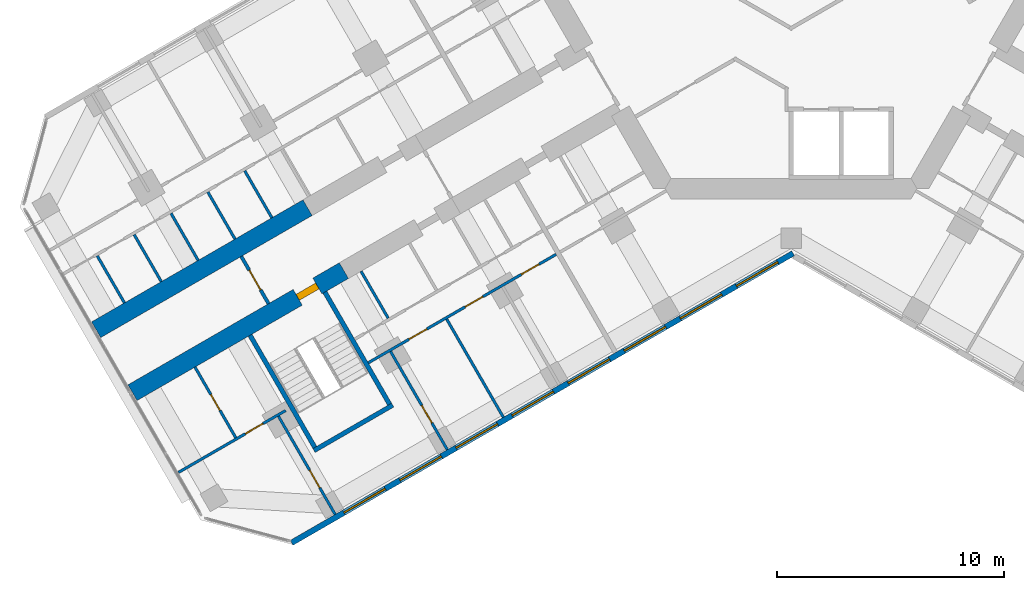
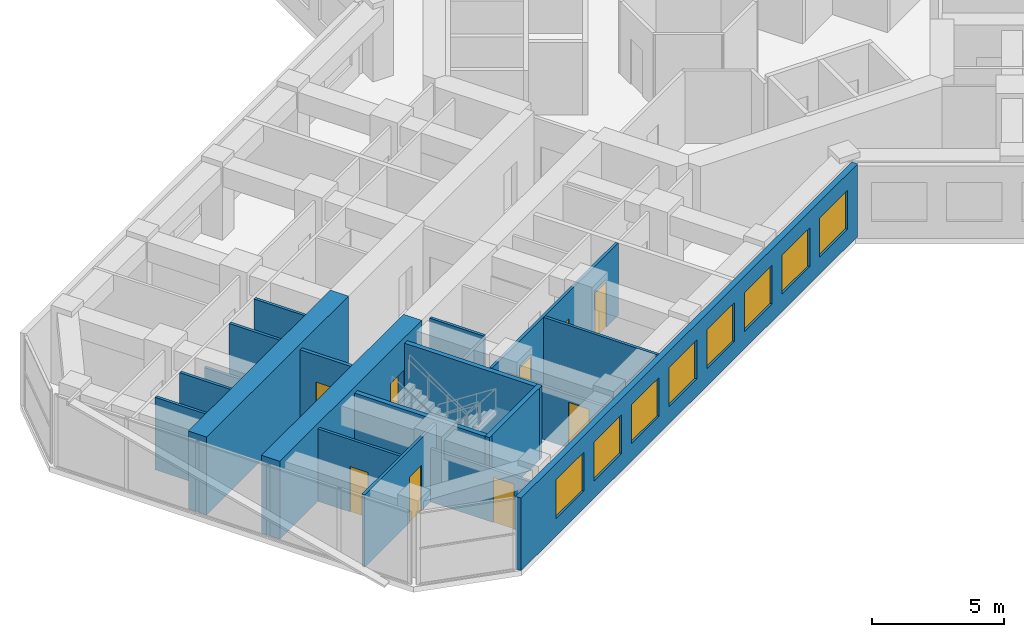
# One storey, part 10 of 19: 19 walls, 9 doors, 8 windows, 17 openings.
"""IFC4 building model written with IfcOpenShell, lengths in metres."""

from ifc_helpers import new_model, si_unit, direction, frame, frame_2d, origin, place, context, subcontext, project, spatial, rectangle, extrude, material, layer, layer_set, type_object, element, fill, save


model = new_model("IFC4")

# Units and contexts
model_context = context("Model", 3, precision=1e-05, world=origin(), true_north=direction((0.0, 1.0)))
body_context = subcontext(model_context, "Body", "Model", "MODEL_VIEW")
ifc_project = project(units=[si_unit("LENGTHUNIT", "METRE"), si_unit("AREAUNIT", "SQUARE_METRE"), si_unit("VOLUMEUNIT", "CUBIC_METRE"), si_unit("PLANEANGLEUNIT", "RADIAN"), si_unit("MASSUNIT", "GRAM", prefix="KILO")], contexts=[model_context])

# Site, building, storey
site_placement = place(None, origin())
site = spatial("IfcSite", under=ifc_project, at=site_placement, CompositionType="ELEMENT")
building_placement = place(site_placement, origin())
building = spatial("IfcBuilding", under=site, at=building_placement, Name="Kosmar Iwan School Tower", CompositionType="ELEMENT")
storey_placement = place(building_placement, frame((0.0, 0.0, 172.39990234375)))
storey = spatial("IfcBuildingStorey", under=building, at=storey_placement, Name="L43", CompositionType="ELEMENT", Elevation=172.39990234375)

# Wall, opening, door
ifc_material_1 = material(Name="Concrete C50/60", Category="concrete")
ifc_layer_1 = layer(ifc_material_1, 0.800048828125)
ifc_layer_set_1 = layer_set([ifc_layer_1], Name="Corridor buttress wall 800")
wall_type_1 = type_object("IfcWallType", Name="Corridor buttress wall 800", PredefinedType="SHEAR", material=ifc_layer_set_1)
wall_1_placement = place(storey_placement, frame((-19.681396484375, -13.210693359375, 0.0), z_axis=(0.0, 0.0, 1.0), x_axis=(-0.866028186671, -0.499995179869, 0.0)))
wall_1 = element("IfcWall", 1, at=wall_1_placement, inside=storey, type_object=wall_type_1, Name="Corridor wall BL bay 3", PredefinedType="SHEAR", context=body_context, shape_type="SweptSolid", body=[
    extrude(rectangle(XDim=10.7451171875, YDim=0.800048828125, at=frame_2d((5.37255859375, 0.0))), origin(), (0.0, 0.0, 1.0), 3.60009765625),
])
opening_1_placement = place(wall_1_placement, frame((1.35009765625, 0.0, 0.0)))
opening_1 = element("IfcOpeningElement", 2, at=opening_1_placement, cuts=wall_1, Name="Opening D6", PredefinedType="OPENING", context=body_context, shape_type="SweptSolid", body=[
    extrude(rectangle(XDim=1.0, YDim=2.10009765625, at=frame_2d((0.5, 1.050048828125))), frame((0.0, 0.412109375, 0.0), z_axis=(0.0, -1.0, 0.0), x_axis=(1.0, 0.0, 0.0)), (0.0, 0.0, 1.0), 0.823974609375),
])
ifc_material_2 = material(Name="Steel fire door", Category="steel")
door_type_1 = type_object("IfcDoorType", Name="Stair door 1000x2100", OperationType="SINGLE_SWING_LEFT", PredefinedType="DOOR", material=ifc_material_2)
door_1_placement = place(opening_1_placement, origin())
door_1 = element("IfcDoor", 3, at=door_1_placement, inside=storey, type_object=door_type_1, Name="Stair WS2 door L43", OperationType="SINGLE_SWING_LEFT", OverallHeight=2.10009765625, OverallWidth=1.0, PredefinedType="DOOR", context=body_context, shape_type="SweptSolid", body=[
    extrude(rectangle(XDim=1.0, YDim=2.10009765625, at=frame_2d((0.5, 1.050048828125))), frame((0.0, 0.14990234375, 0.0), z_axis=(0.0, -1.0, 0.0), x_axis=(1.0, 0.0, 0.0)), (0.0, 0.0, 1.0), 0.300048828125),
])
fill(opening_1, door_1)

# Wall
wall_2_placement = place(storey_placement, frame((-21.281494140625, -10.439453125, 0.0), z_axis=(0.0, 0.0, 1.0), x_axis=(-0.866032345022, -0.499987977232, 0.0)))
element("IfcWall", 4, at=wall_2_placement, inside=storey, type_object=wall_type_1, Name="Corridor wall BR bay 3", PredefinedType="SHEAR", context=body_context, shape_type="SweptSolid", body=[
    extrude(rectangle(XDim=10.744873046875, YDim=0.800048828125, at=frame_2d((5.37255859375, 0.0))), origin(), (0.0, 0.0, 1.0), 3.60009765625),
])

# Wall, opening, door
ifc_material_3 = material(Name="Gypsum board on steel studs, fire-rated", Category="steel")
ifc_layer_2 = layer(ifc_material_3, 0.14990234375)
ifc_layer_set_2 = layer_set([ifc_layer_2], Name="Corridor end wall 150")
wall_type_2 = type_object("IfcWallType", Name="Corridor end wall 150", PredefinedType="PARTITIONING", material=ifc_layer_set_2)
wall_3_placement = place(storey_placement, frame((-24.19921875, -12.585693359375, 0.0), z_axis=(0.0, 0.0, 1.0), x_axis=(0.499957262057, -0.866050077142, 0.0)))
wall_3 = element("IfcWall", 5, at=wall_3_placement, inside=storey, type_object=wall_type_2, Name="Partition L43-B-CE", PredefinedType="PARTITIONING", context=body_context, shape_type="SweptSolid", body=[
    extrude(rectangle(XDim=2.400146484375, YDim=0.14990234375, at=frame_2d((1.2001953125, 0.0))), origin(), (0.0, 0.0, 1.0), 3.35009765625),
])
opening_2_placement = place(wall_3_placement, frame((0.699951171875, 0.0, 0.0)))
opening_2 = element("IfcOpeningElement", 6, at=opening_2_placement, cuts=wall_3, Name="Opening D13", PredefinedType="OPENING", context=body_context, shape_type="SweptSolid", body=[
    extrude(rectangle(XDim=1.0, YDim=2.10009765625, at=frame_2d((0.5, 1.050048828125))), frame((0.0, 0.0869140625, 0.0), z_axis=(0.0, -1.0, 0.0), x_axis=(1.0, 0.0, 0.0)), (0.0, 0.0, 1.0), 0.173828125),
])
ifc_material_4 = material(Name="Timber fire door with vision panel", Category="wood")
door_type_2 = type_object("IfcDoorType", Name="Corridor end door 1000x2100", OperationType="SINGLE_SWING_LEFT", PredefinedType="DOOR", material=ifc_material_4)
door_2_placement = place(opening_2_placement, origin())
door_2 = element("IfcDoor", 7, at=door_2_placement, inside=storey, type_object=door_type_2, Name="Laundry and drying room door L43-B", OperationType="SINGLE_SWING_LEFT", OverallHeight=2.10009765625, OverallWidth=1.0, PredefinedType="DOOR", context=body_context, shape_type="SweptSolid", body=[
    extrude(rectangle(XDim=1.0, YDim=2.10009765625, at=frame_2d((0.5, 1.050048828125))), frame((0.0, 0.02490234375, 0.0), z_axis=(0.0, -1.0, 0.0), x_axis=(1.0, 0.0, 0.0)), (0.0, 0.0, 1.0), 0.050048828125),
])
fill(opening_2, door_2)

# Wall, openings, doors
ifc_material_5 = material(Name="Gypsum board on steel studs", Category="steel")
ifc_layer_3 = layer(ifc_material_5, 0.1201171875)
ifc_layer_set_3 = layer_set([ifc_layer_3], Name="Dwelling partition 120")
wall_type_3 = type_object("IfcWallType", Name="Dwelling partition 120", PredefinedType="PARTITIONING", material=ifc_layer_set_3)
wall_4_placement = place(storey_placement, frame((-10.338623046875, -12.492919921875, 0.0), z_axis=(0.0, 0.0, 1.0), x_axis=(-0.866017851049, -0.500013081493, 0.0)))
wall_4 = element("IfcWall", 8, at=wall_4_placement, inside=storey, type_object=wall_type_3, Name="Partition L43-BL2-W2", PredefinedType="PARTITIONING", context=body_context, shape_type="SweptSolid", body=[
    extrude(rectangle(XDim=9.550048828125, YDim=0.1201171875, at=frame_2d((4.77490234375, 0.0))), origin(), (0.0, 0.0, 1.0), 3.35009765625),
])
opening_3_placement = place(wall_4_placement, frame((0.875, 0.0, 0.0)))
opening_3 = element("IfcOpeningElement", 9, at=opening_3_placement, cuts=wall_4, Name="Opening D2", PredefinedType="OPENING", context=body_context, shape_type="SweptSolid", body=[
    extrude(rectangle(XDim=0.89990234375, YDim=2.10009765625, at=frame_2d((0.449951171875, 1.050048828125))), frame((0.0, 0.072021484375, 0.0), z_axis=(0.0, -1.0, 0.0), x_axis=(1.0, 0.0, 0.0)), (0.0, 0.0, 1.0), 0.14404296875),
])
opening_4_placement = place(wall_4_placement, frame((3.72509765625, 0.0, 0.0)))
opening_4 = element("IfcOpeningElement", 10, at=opening_4_placement, cuts=wall_4, Name="Opening D2", PredefinedType="OPENING", context=body_context, shape_type="SweptSolid", body=[
    extrude(rectangle(XDim=0.89990234375, YDim=2.10009765625, at=frame_2d((0.449951171875, 1.050048828125))), frame((0.0, 0.072021484375, 0.0), z_axis=(0.0, -1.0, 0.0), x_axis=(1.0, 0.0, 0.0)), (0.0, 0.0, 1.0), 0.14404296875),
])
opening_5_placement = place(wall_4_placement, frame((6.574951171875, 0.0, 0.0)))
opening_5 = element("IfcOpeningElement", 11, at=opening_5_placement, cuts=wall_4, Name="Opening D2", PredefinedType="OPENING", context=body_context, shape_type="SweptSolid", body=[
    extrude(rectangle(XDim=0.89990234375, YDim=2.10009765625, at=frame_2d((0.449951171875, 1.050048828125))), frame((0.0, 0.072021484375, 0.0), z_axis=(0.0, -1.0, 0.0), x_axis=(1.0, 0.0, 0.0)), (0.0, 0.0, 1.0), 0.14404296875),
])
ifc_material_6 = material(Name="Timber door in timber frame", Category="wood")
door_type_3 = type_object("IfcDoorType", Name="Internal door 900x2100", OperationType="SINGLE_SWING_LEFT", PredefinedType="DOOR", material=ifc_material_6)
door_3_placement = place(opening_3_placement, origin())
door_3 = element("IfcDoor", 12, at=door_3_placement, inside=storey, type_object=door_type_3, Name="Family room and kitchen door L43-BL2-F1", OperationType="SINGLE_SWING_LEFT", OverallHeight=2.10009765625, OverallWidth=0.89990234375, PredefinedType="DOOR", context=body_context, shape_type="SweptSolid", body=[
    extrude(rectangle(XDim=0.89990234375, YDim=2.10009765625, at=frame_2d((0.449951171875, 1.050048828125))), frame((0.0, 0.02490234375, 0.0), z_axis=(0.0, -1.0, 0.0), x_axis=(1.0, 0.0, 0.0)), (0.0, 0.0, 1.0), 0.050048828125),
])
fill(opening_3, door_3)
door_4_placement = place(opening_4_placement, origin())
door_4 = element("IfcDoor", 13, at=door_4_placement, inside=storey, type_object=door_type_3, Name="Bedroom 2 door L43-BL2-F2", OperationType="SINGLE_SWING_RIGHT", OverallHeight=2.10009765625, OverallWidth=0.89990234375, PredefinedType="DOOR", context=body_context, shape_type="SweptSolid", body=[
    extrude(rectangle(XDim=0.89990234375, YDim=2.10009765625, at=frame_2d((0.449951171875, 1.050048828125))), frame((0.0, 0.02490234375, 0.0), z_axis=(0.0, -1.0, 0.0), x_axis=(1.0, 0.0, 0.0)), (0.0, 0.0, 1.0), 0.050048828125),
])
fill(opening_4, door_4)
door_5_placement = place(opening_5_placement, origin())
door_5 = element("IfcDoor", 14, at=door_5_placement, inside=storey, type_object=door_type_3, Name="Bedroom 1 door L43-BL2-F3", OperationType="SINGLE_SWING_LEFT", OverallHeight=2.10009765625, OverallWidth=0.89990234375, PredefinedType="DOOR", context=body_context, shape_type="SweptSolid", body=[
    extrude(rectangle(XDim=0.89990234375, YDim=2.10009765625, at=frame_2d((0.449951171875, 1.050048828125))), frame((0.0, 0.02490234375, 0.0), z_axis=(0.0, -1.0, 0.0), x_axis=(1.0, 0.0, 0.0)), (0.0, 0.0, 1.0), 0.050048828125),
])
fill(opening_5, door_5)

# Walls
wall_5_placement = place(storey_placement, frame((-15.158447265625, -15.344970703125, 0.0), z_axis=(0.0, 0.0, 1.0), x_axis=(0.500011847778, -0.866018563358, 0.0)))
element("IfcWall", 15, at=wall_5_placement, inside=storey, type_object=wall_type_3, Name="Partition L43-BL2-X2", PredefinedType="PARTITIONING", context=body_context, shape_type="SweptSolid", body=[
    extrude(rectangle(XDim=4.990234375, YDim=0.1201171875, at=frame_2d((2.4951171875, 0.0))), origin(), (0.0, 0.0, 1.0), 3.35009765625),
])
wall_6_placement = place(storey_placement, frame((-18.92724609375, -13.237060546875, 0.0), z_axis=(0.0, 0.0, 1.0), x_axis=(0.500017192868, -0.86601547725, 0.0)))
element("IfcWall", 16, at=wall_6_placement, inside=storey, type_object=wall_type_3, Name="Partition L43-BL2-Y4", PredefinedType="PARTITIONING", context=body_context, shape_type="SweptSolid", body=[
    extrude(rectangle(XDim=2.39013671875, YDim=0.1201171875, at=frame_2d((1.195068359375, 0.0))), origin(), (0.0, 0.0, 1.0), 3.35009765625),
])

# Wall, opening, door
wall_7_placement = place(storey_placement, frame((-17.62646484375, -16.77001953125, 0.0), z_axis=(0.0, 0.0, 1.0), x_axis=(0.499975153383, -0.86603974851, 0.0)))
wall_7 = element("IfcWall", 17, at=wall_7_placement, inside=storey, type_object=wall_type_3, Name="Partition L43-BL2-TB", PredefinedType="PARTITIONING", context=body_context, shape_type="SweptSolid", body=[
    extrude(rectangle(XDim=4.989990234375, YDim=0.1201171875, at=frame_2d((2.4951171875, 0.0))), origin(), (0.0, 0.0, 1.0), 2.4501953125),
])
opening_6_placement = place(wall_7_placement, frame((2.739990234375, 0.0, 0.0)))
opening_6 = element("IfcOpeningElement", 18, at=opening_6_placement, cuts=wall_7, Name="Opening D2", PredefinedType="OPENING", context=body_context, shape_type="SweptSolid", body=[
    extrude(rectangle(XDim=0.89990234375, YDim=2.10009765625, at=frame_2d((0.449951171875, 1.050048828125))), frame((0.0, 0.072021484375, 0.0), z_axis=(0.0, -1.0, 0.0), x_axis=(1.0, 0.0, 0.0)), (0.0, 0.0, 1.0), 0.14404296875),
])
door_6_placement = place(opening_6_placement, origin())
door_6 = element("IfcDoor", 19, at=door_6_placement, inside=storey, type_object=door_type_3, Name="Study door L43-BL2-F3", OperationType="SINGLE_SWING_RIGHT", OverallHeight=2.10009765625, OverallWidth=0.89990234375, PredefinedType="DOOR", context=body_context, shape_type="SweptSolid", body=[
    extrude(rectangle(XDim=0.89990234375, YDim=2.10009765625, at=frame_2d((0.449951171875, 1.050048828125))), frame((0.0, 0.02490234375, 0.0), z_axis=(0.0, -1.0, 0.0), x_axis=(1.0, 0.0, 0.0)), (0.0, 0.0, 1.0), 0.050048828125),
])
fill(opening_6, door_6)

wall_8_placement = place(storey_placement, frame((-22.562744140625, -19.6201171875, 0.0), z_axis=(0.0, 0.0, 1.0), x_axis=(0.499996339024, -0.86602751744, 0.0)))
wall_8 = element("IfcWall", 20, at=wall_8_placement, inside=storey, type_object=wall_type_3, Name="Partition L43-BL2-TX", PredefinedType="PARTITIONING", context=body_context, shape_type="SweptSolid", body=[
    extrude(rectangle(XDim=4.98974609375, YDim=0.1201171875, at=frame_2d((2.494873046875, 0.0))), origin(), (0.0, 0.0, 1.0), 2.4501953125),
])
opening_7_placement = place(wall_8_placement, frame((2.739990234375, 0.0, 0.0)))
opening_7 = element("IfcOpeningElement", 21, at=opening_7_placement, cuts=wall_8, Name="Opening D2", PredefinedType="OPENING", context=body_context, shape_type="SweptSolid", body=[
    extrude(rectangle(XDim=0.89990234375, YDim=2.10009765625, at=frame_2d((0.449951171875, 1.050048828125))), frame((0.0, 0.072021484375, 0.0), z_axis=(0.0, -1.0, 0.0), x_axis=(1.0, 0.0, 0.0)), (0.0, 0.0, 1.0), 0.14404296875),
])
door_7_placement = place(opening_7_placement, origin())
door_7 = element("IfcDoor", 22, at=door_7_placement, inside=storey, type_object=door_type_3, Name="Study door L43-BL2-T1", OperationType="SINGLE_SWING_RIGHT", OverallHeight=2.10009765625, OverallWidth=0.89990234375, PredefinedType="DOOR", context=body_context, shape_type="SweptSolid", body=[
    extrude(rectangle(XDim=0.89990234375, YDim=2.10009765625, at=frame_2d((0.449951171875, 1.050048828125))), frame((0.0, 0.02490234375, 0.0), z_axis=(0.0, -1.0, 0.0), x_axis=(1.0, 0.0, 0.0)), (0.0, 0.0, 1.0), 0.050048828125),
])
fill(opening_7, door_7)

wall_9_placement = place(storey_placement, frame((-22.246337890625, -19.3681640625, 0.0), z_axis=(0.0, 0.0, 1.0), x_axis=(-0.866035508231, -0.499982498177, 0.0)))
wall_9 = element("IfcWall", 23, at=wall_9_placement, inside=storey, type_object=wall_type_3, Name="Partition L43-BL2-TW", PredefinedType="PARTITIONING", context=body_context, shape_type="SweptSolid", body=[
    extrude(rectangle(XDim=5.445068359375, YDim=0.1201171875, at=frame_2d((2.72265625, 0.0))), origin(), (0.0, 0.0, 1.0), 3.35009765625),
])
opening_8_placement = place(wall_9_placement, frame((1.14990234375, 0.0, 0.0)))
opening_8 = element("IfcOpeningElement", 24, at=opening_8_placement, cuts=wall_9, Name="Opening D2", PredefinedType="OPENING", context=body_context, shape_type="SweptSolid", body=[
    extrude(rectangle(XDim=0.89990234375, YDim=2.10009765625, at=frame_2d((0.449951171875, 1.050048828125))), frame((0.0, 0.072021484375, 0.0), z_axis=(0.0, -1.0, 0.0), x_axis=(1.0, 0.0, 0.0)), (0.0, 0.0, 1.0), 0.14404296875),
])
door_8_placement = place(opening_8_placement, origin())
door_8 = element("IfcDoor", 25, at=door_8_placement, inside=storey, type_object=door_type_3, Name="Dressing room door L43-BL2-T3", OperationType="SINGLE_SWING_LEFT", OverallHeight=2.10009765625, OverallWidth=0.89990234375, PredefinedType="DOOR", context=body_context, shape_type="SweptSolid", body=[
    extrude(rectangle(XDim=0.89990234375, YDim=2.10009765625, at=frame_2d((0.449951171875, 1.050048828125))), frame((0.0, 0.02490234375, 0.0), z_axis=(0.0, -1.0, 0.0), x_axis=(1.0, 0.0, 0.0)), (0.0, 0.0, 1.0), 0.050048828125),
])
fill(opening_8, door_8)

wall_10_placement = place(storey_placement, frame((-26.236572265625, -17.45703125, 0.0), z_axis=(0.0, 0.0, 1.0), x_axis=(0.50002266109, -0.866012320003, 0.0)))
wall_10 = element("IfcWall", 26, at=wall_10_placement, inside=storey, type_object=wall_type_3, Name="Partition L43-BL2-TY", PredefinedType="PARTITIONING", context=body_context, shape_type="SweptSolid", body=[
    extrude(rectangle(XDim=3.590087890625, YDim=0.1201171875, at=frame_2d((1.794921875, 0.0))), origin(), (0.0, 0.0, 1.0), 3.35009765625),
])
opening_9_placement = place(wall_10_placement, frame((1.39501953125, 0.0, 0.0)))
opening_9 = element("IfcOpeningElement", 27, at=opening_9_placement, cuts=wall_10, Name="Opening D3", PredefinedType="OPENING", context=body_context, shape_type="SweptSolid", body=[
    extrude(rectangle(XDim=0.800048828125, YDim=2.10009765625, at=frame_2d((0.39990234375, 1.050048828125))), frame((0.0, 0.072021484375, 0.0), z_axis=(0.0, -1.0, 0.0), x_axis=(1.0, 0.0, 0.0)), (0.0, 0.0, 1.0), 0.14404296875),
])
ifc_material_7 = material(Name="Timber door in timber frame", Category="wood")
door_type_4 = type_object("IfcDoorType", Name="Sanitary room door 800x2100", OperationType="SINGLE_SWING_LEFT", PredefinedType="DOOR", material=ifc_material_7)
door_9_placement = place(opening_9_placement, origin())
door_9 = element("IfcDoor", 28, at=door_9_placement, inside=storey, type_object=door_type_4, Name="Shower room door L43-BL2-T4", OperationType="SINGLE_SWING_RIGHT", OverallHeight=2.10009765625, OverallWidth=0.800048828125, PredefinedType="DOOR", context=body_context, shape_type="SweptSolid", body=[
    extrude(rectangle(XDim=0.800048828125, YDim=2.10009765625, at=frame_2d((0.39990234375, 1.050048828125))), frame((0.0, 0.02490234375, 0.0), z_axis=(0.0, -1.0, 0.0), x_axis=(1.0, 0.0, 0.0)), (0.0, 0.0, 1.0), 0.050048828125),
])
fill(opening_9, door_9)

# Walls
wall_11_placement = place(storey_placement, frame((-22.852783203125, -10.884521484375, 0.0), z_axis=(0.0, 0.0, 1.0), x_axis=(-0.499940577336, 0.866059708757, 0.0)))
element("IfcWall", 29, at=wall_11_placement, inside=storey, type_object=wall_type_3, Name="Partition L43-BR2-Y3", PredefinedType="PARTITIONING", context=body_context, shape_type="SweptSolid", body=[
    extrude(rectangle(XDim=2.389892578125, YDim=0.1201171875, at=frame_2d((1.19482421875, 0.0))), origin(), (0.0, 0.0, 1.0), 3.35009765625),
])
wall_12_placement = place(storey_placement, frame((-24.47509765625, -11.8212890625, 0.0), z_axis=(0.0, 0.0, 1.0), x_axis=(-0.500017192868, 0.86601547725, 0.0)))
element("IfcWall", 30, at=wall_12_placement, inside=storey, type_object=wall_type_3, Name="Partition L43-BR2-Y4", PredefinedType="PARTITIONING", context=body_context, shape_type="SweptSolid", body=[
    extrude(rectangle(XDim=2.39013671875, YDim=0.1201171875, at=frame_2d((1.195068359375, 0.0))), origin(), (0.0, 0.0, 1.0), 3.35009765625),
])
wall_13_placement = place(storey_placement, frame((-26.097412109375, -12.758056640625, 0.0), z_axis=(0.0, 0.0, 1.0), x_axis=(-0.500017192868, 0.86601547725, 0.0)))
element("IfcWall", 31, at=wall_13_placement, inside=storey, type_object=wall_type_3, Name="Partition L43-BR2-Y5", PredefinedType="PARTITIONING", context=body_context, shape_type="SweptSolid", body=[
    extrude(rectangle(XDim=2.39013671875, YDim=0.1201171875, at=frame_2d((1.195068359375, 0.0))), origin(), (0.0, 0.0, 1.0), 2.4501953125),
])
for number, where, z_axis, x_axis, name in (
    (32, (-27.7197265625, -13.694580078125, 0.0), (0.0, 0.0, 1.0), (-0.500017192868, 0.86601547725, 0.0), "Partition L43-BR2-Y6"),
    (33, (-29.342041015625, -14.63134765625, 0.0), (0.0, 0.0, 1.0), (-0.500017192868, 0.86601547725, 0.0), "Partition L43-BR2-Y7"),
):
    element("IfcWall", number, at=place(storey_placement, frame(where, z_axis=z_axis, x_axis=x_axis)), inside=storey, type_object=wall_type_3, Name=name, PredefinedType="PARTITIONING", context=body_context, shape_type="SweptSolid", body=[
        extrude(rectangle(XDim=2.39013671875, YDim=0.1201171875, at=frame_2d((1.195068359375, 0.0))), origin(), (0.0, 0.0, 1.0), 3.35009765625),
    ])
ifc_material_8 = material(Name="Concrete C35/45", Category="concrete")
ifc_layer_4 = layer(ifc_material_8, 0.199951171875)
ifc_layer_set_4 = layer_set([ifc_layer_4], Name="Escape stair wall 200")
wall_type_4 = type_object("IfcWallType", Name="Escape stair wall 200", PredefinedType="SHEAR", material=ifc_layer_set_4)
wall_14_placement = place(storey_placement, frame((-20.520751953125, -14.156982421875, 0.0), z_axis=(0.0, 0.0, 1.0), x_axis=(0.499988710057, -0.866031921938, 0.0)))
element("IfcWall", 34, at=wall_14_placement, inside=storey, type_object=wall_type_4, Name="Stair WS2 wall", PredefinedType="SHEAR", context=body_context, shape_type="SweptSolid", body=[
    extrude(rectangle(XDim=5.900146484375, YDim=0.199951171875, at=frame_2d((2.9501953125, 0.0))), origin(), (0.0, 0.0, 1.0), 3.330078125),
])
wall_15_placement = place(storey_placement, frame((-23.8115234375, -16.05712890625, 0.0), z_axis=(0.0, 0.0, 1.0), x_axis=(0.500006628179, -0.86602157697, 0.0)))
element("IfcWall", 35, at=wall_15_placement, inside=storey, type_object=wall_type_4, Name="Stair WS2 wall", PredefinedType="SHEAR", context=body_context, shape_type="SweptSolid", body=[
    extrude(rectangle(XDim=5.89990234375, YDim=0.199951171875, at=frame_2d((2.949951171875, 0.0))), origin(), (0.0, 0.0, 1.0), 3.330078125),
])
wall_16_placement = place(storey_placement, frame((-17.5341796875, -19.1298828125, 0.0), z_axis=(0.0, 0.0, 1.0), x_axis=(-0.866026010844, -0.49999894854, 0.0)))
element("IfcWall", 36, at=wall_16_placement, inside=storey, type_object=wall_type_4, Name="Stair WS2 wall", PredefinedType="SHEAR", context=body_context, shape_type="SweptSolid", body=[
    extrude(rectangle(XDim=4.0, YDim=0.199951171875, at=frame_2d((2.0, 0.0))), origin(), (0.0, 0.0, 1.0), 3.330078125),
])

# Wall, openings, windows
ifc_material_9 = material(Name="Black aluminium rainscreen on insulated framing", Category="aluminium")
ifc_layer_5 = layer(ifc_material_9, 0.25)
ifc_layer_set_5 = layer_set([ifc_layer_5], Name="External wall rainscreen 250")
wall_type_5 = type_object("IfcWallType", Name="External wall rainscreen 250", PredefinedType="SOLIDWALL", material=ifc_layer_set_5)
wall_17_placement = place(storey_placement, frame((0.088134765625, -12.44873046875, 0.0), z_axis=(0.0, 0.0, 1.0), x_axis=(-0.866026390279, -0.499998291337, 0.0)))
wall_17 = element("IfcWall", 37, at=wall_17_placement, inside=storey, type_object=wall_type_5, Name="External wall BL L43", PredefinedType="SOLIDWALL", context=body_context, shape_type="SweptSolid", body=[
    extrude(rectangle(XDim=25.4873046875, YDim=0.25, at=frame_2d((12.74365234375, 0.0))), origin(), (0.0, 0.0, 1.0), 3.35009765625),
])
opening_10_placement = place(wall_17_placement, frame((0.777099609375, 0.0, 0.800048828125)))
opening_10 = element("IfcOpeningElement", 38, at=opening_10_placement, cuts=wall_17, Name="Opening W4", PredefinedType="OPENING", context=body_context, shape_type="SweptSolid", body=[
    extrude(rectangle(XDim=2.10009765625, YDim=1.800048828125, at=frame_2d((1.050048828125, 0.89990234375))), frame((0.0, 0.136962890625, 0.0), z_axis=(0.0, -1.0, 0.0), x_axis=(1.0, 0.0, 0.0)), (0.0, 0.0, 1.0), 0.27392578125),
])
opening_11_placement = place(wall_17_placement, frame((3.626953125, 0.0, 0.800048828125)))
opening_11 = element("IfcOpeningElement", 39, at=opening_11_placement, cuts=wall_17, Name="Opening W4", PredefinedType="OPENING", context=body_context, shape_type="SweptSolid", body=[
    extrude(rectangle(XDim=2.10009765625, YDim=1.800048828125, at=frame_2d((1.050048828125, 0.89990234375))), frame((0.0, 0.136962890625, 0.0), z_axis=(0.0, -1.0, 0.0), x_axis=(1.0, 0.0, 0.0)), (0.0, 0.0, 1.0), 0.27392578125),
])
opening_12_placement = place(wall_17_placement, frame((6.47705078125, 0.0, 0.800048828125)))
opening_12 = element("IfcOpeningElement", 40, at=opening_12_placement, cuts=wall_17, Name="Opening W4", PredefinedType="OPENING", context=body_context, shape_type="SweptSolid", body=[
    extrude(rectangle(XDim=2.10009765625, YDim=1.800048828125, at=frame_2d((1.050048828125, 0.89990234375))), frame((0.0, 0.136962890625, 0.0), z_axis=(0.0, -1.0, 0.0), x_axis=(1.0, 0.0, 0.0)), (0.0, 0.0, 1.0), 0.27392578125),
])
opening_13_placement = place(wall_17_placement, frame((9.326904296875, 0.0, 0.800048828125)))
opening_13 = element("IfcOpeningElement", 41, at=opening_13_placement, cuts=wall_17, Name="Opening W4", PredefinedType="OPENING", context=body_context, shape_type="SweptSolid", body=[
    extrude(rectangle(XDim=2.10009765625, YDim=1.800048828125, at=frame_2d((1.050048828125, 0.89990234375))), frame((0.0, 0.136962890625, 0.0), z_axis=(0.0, -1.0, 0.0), x_axis=(1.0, 0.0, 0.0)), (0.0, 0.0, 1.0), 0.27392578125),
])
opening_14_placement = place(wall_17_placement, frame((12.177001953125, 0.0, 0.800048828125)))
opening_14 = element("IfcOpeningElement", 42, at=opening_14_placement, cuts=wall_17, Name="Opening W4", PredefinedType="OPENING", context=body_context, shape_type="SweptSolid", body=[
    extrude(rectangle(XDim=2.10009765625, YDim=1.800048828125, at=frame_2d((1.050048828125, 0.89990234375))), frame((0.0, 0.136962890625, 0.0), z_axis=(0.0, -1.0, 0.0), x_axis=(1.0, 0.0, 0.0)), (0.0, 0.0, 1.0), 0.27392578125),
])
opening_15_placement = place(wall_17_placement, frame((15.027099609375, 0.0, 0.800048828125)))
opening_15 = element("IfcOpeningElement", 43, at=opening_15_placement, cuts=wall_17, Name="Opening W4", PredefinedType="OPENING", context=body_context, shape_type="SweptSolid", body=[
    extrude(rectangle(XDim=2.10009765625, YDim=1.800048828125, at=frame_2d((1.050048828125, 0.89990234375))), frame((0.0, 0.136962890625, 0.0), z_axis=(0.0, -1.0, 0.0), x_axis=(1.0, 0.0, 0.0)), (0.0, 0.0, 1.0), 0.27392578125),
])
opening_16_placement = place(wall_17_placement, frame((17.876953125, 0.0, 0.800048828125)))
opening_16 = element("IfcOpeningElement", 44, at=opening_16_placement, cuts=wall_17, Name="Opening W4", PredefinedType="OPENING", context=body_context, shape_type="SweptSolid", body=[
    extrude(rectangle(XDim=2.10009765625, YDim=1.800048828125, at=frame_2d((1.050048828125, 0.89990234375))), frame((0.0, 0.136962890625, 0.0), z_axis=(0.0, -1.0, 0.0), x_axis=(1.0, 0.0, 0.0)), (0.0, 0.0, 1.0), 0.27392578125),
])
opening_17_placement = place(wall_17_placement, frame((20.72705078125, 0.0, 0.800048828125)))
opening_17 = element("IfcOpeningElement", 45, at=opening_17_placement, cuts=wall_17, Name="Opening W4", PredefinedType="OPENING", context=body_context, shape_type="SweptSolid", body=[
    extrude(rectangle(XDim=2.10009765625, YDim=1.800048828125, at=frame_2d((1.050048828125, 0.89990234375))), frame((0.0, 0.136962890625, 0.0), z_axis=(0.0, -1.0, 0.0), x_axis=(1.0, 0.0, 0.0)), (0.0, 0.0, 1.0), 0.27392578125),
])
ifc_material_10 = material(Name="Black aluminium frame with dark triple glazing", Category="aluminium")
window_type = type_object("IfcWindowType", Name="Window 2100x1800", PartitioningType="SINGLE_PANEL", PredefinedType="WINDOW", material=ifc_material_10)
window_1_placement = place(opening_10_placement, origin())
window_1 = element("IfcWindow", 46, at=window_1_placement, inside=storey, type_object=window_type, Name="Window BL L43 -1", OverallHeight=1.800048828125, OverallWidth=2.10009765625, PartitioningType="SINGLE_PANEL", PredefinedType="WINDOW", context=body_context, shape_type="SweptSolid", body=[
    extrude(rectangle(XDim=2.10009765625, YDim=1.800048828125, at=frame_2d((1.050048828125, 0.89990234375))), frame((0.0, 0.030029296875, 0.0), z_axis=(0.0, -1.0, 0.0), x_axis=(1.0, 0.0, 0.0)), (0.0, 0.0, 1.0), 0.06005859375),
])
fill(opening_10, window_1)
window_2_placement = place(opening_11_placement, origin())
window_2 = element("IfcWindow", 47, at=window_2_placement, inside=storey, type_object=window_type, Name="Window BL L43 0", OverallHeight=1.800048828125, OverallWidth=2.10009765625, PartitioningType="SINGLE_PANEL", PredefinedType="WINDOW", context=body_context, shape_type="SweptSolid", body=[
    extrude(rectangle(XDim=2.10009765625, YDim=1.800048828125, at=frame_2d((1.050048828125, 0.89990234375))), frame((0.0, 0.030029296875, 0.0), z_axis=(0.0, -1.0, 0.0), x_axis=(1.0, 0.0, 0.0)), (0.0, 0.0, 1.0), 0.06005859375),
])
fill(opening_11, window_2)
window_3_placement = place(opening_12_placement, origin())
window_3 = element("IfcWindow", 48, at=window_3_placement, inside=storey, type_object=window_type, Name="Window BL L43 1", OverallHeight=1.800048828125, OverallWidth=2.10009765625, PartitioningType="SINGLE_PANEL", PredefinedType="WINDOW", context=body_context, shape_type="SweptSolid", body=[
    extrude(rectangle(XDim=2.10009765625, YDim=1.800048828125, at=frame_2d((1.050048828125, 0.89990234375))), frame((0.0, 0.030029296875, 0.0), z_axis=(0.0, -1.0, 0.0), x_axis=(1.0, 0.0, 0.0)), (0.0, 0.0, 1.0), 0.06005859375),
])
fill(opening_12, window_3)
window_4_placement = place(opening_13_placement, origin())
window_4 = element("IfcWindow", 49, at=window_4_placement, inside=storey, type_object=window_type, Name="Window BL L43 2", OverallHeight=1.800048828125, OverallWidth=2.10009765625, PartitioningType="SINGLE_PANEL", PredefinedType="WINDOW", context=body_context, shape_type="SweptSolid", body=[
    extrude(rectangle(XDim=2.10009765625, YDim=1.800048828125, at=frame_2d((1.050048828125, 0.89990234375))), frame((0.0, 0.030029296875, 0.0), z_axis=(0.0, -1.0, 0.0), x_axis=(1.0, 0.0, 0.0)), (0.0, 0.0, 1.0), 0.06005859375),
])
fill(opening_13, window_4)
window_5_placement = place(opening_14_placement, origin())
window_5 = element("IfcWindow", 50, at=window_5_placement, inside=storey, type_object=window_type, Name="Window BL L43 3", OverallHeight=1.800048828125, OverallWidth=2.10009765625, PartitioningType="SINGLE_PANEL", PredefinedType="WINDOW", context=body_context, shape_type="SweptSolid", body=[
    extrude(rectangle(XDim=2.10009765625, YDim=1.800048828125, at=frame_2d((1.050048828125, 0.89990234375))), frame((0.0, 0.030029296875, 0.0), z_axis=(0.0, -1.0, 0.0), x_axis=(1.0, 0.0, 0.0)), (0.0, 0.0, 1.0), 0.06005859375),
])
fill(opening_14, window_5)
window_6_placement = place(opening_15_placement, origin())
window_6 = element("IfcWindow", 51, at=window_6_placement, inside=storey, type_object=window_type, Name="Window BL L43 4", OverallHeight=1.800048828125, OverallWidth=2.10009765625, PartitioningType="SINGLE_PANEL", PredefinedType="WINDOW", context=body_context, shape_type="SweptSolid", body=[
    extrude(rectangle(XDim=2.10009765625, YDim=1.800048828125, at=frame_2d((1.050048828125, 0.89990234375))), frame((0.0, 0.030029296875, 0.0), z_axis=(0.0, -1.0, 0.0), x_axis=(1.0, 0.0, 0.0)), (0.0, 0.0, 1.0), 0.06005859375),
])
fill(opening_15, window_6)
window_7_placement = place(opening_16_placement, origin())
window_7 = element("IfcWindow", 52, at=window_7_placement, inside=storey, type_object=window_type, Name="Window BL L43 5", OverallHeight=1.800048828125, OverallWidth=2.10009765625, PartitioningType="SINGLE_PANEL", PredefinedType="WINDOW", context=body_context, shape_type="SweptSolid", body=[
    extrude(rectangle(XDim=2.10009765625, YDim=1.800048828125, at=frame_2d((1.050048828125, 0.89990234375))), frame((0.0, 0.030029296875, 0.0), z_axis=(0.0, -1.0, 0.0), x_axis=(1.0, 0.0, 0.0)), (0.0, 0.0, 1.0), 0.06005859375),
])
fill(opening_16, window_7)
window_8_placement = place(opening_17_placement, origin())
window_8 = element("IfcWindow", 53, at=window_8_placement, inside=storey, type_object=window_type, Name="Window BL L43 6", OverallHeight=1.800048828125, OverallWidth=2.10009765625, PartitioningType="SINGLE_PANEL", PredefinedType="WINDOW", context=body_context, shape_type="SweptSolid", body=[
    extrude(rectangle(XDim=2.10009765625, YDim=1.800048828125, at=frame_2d((1.050048828125, 0.89990234375))), frame((0.0, 0.030029296875, 0.0), z_axis=(0.0, -1.0, 0.0), x_axis=(1.0, 0.0, 0.0)), (0.0, 0.0, 1.0), 0.06005859375),
])
fill(opening_17, window_8)

save(model, "model.ifc")
